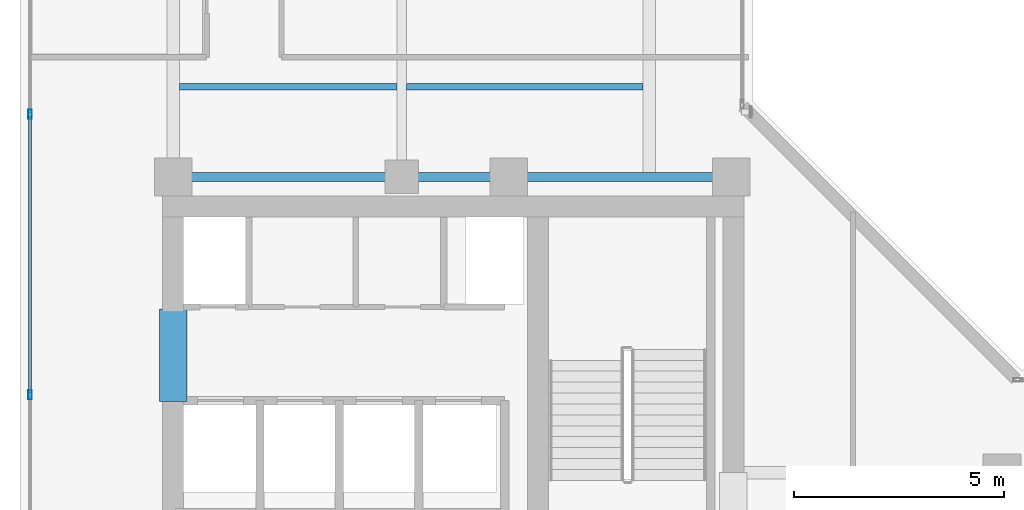
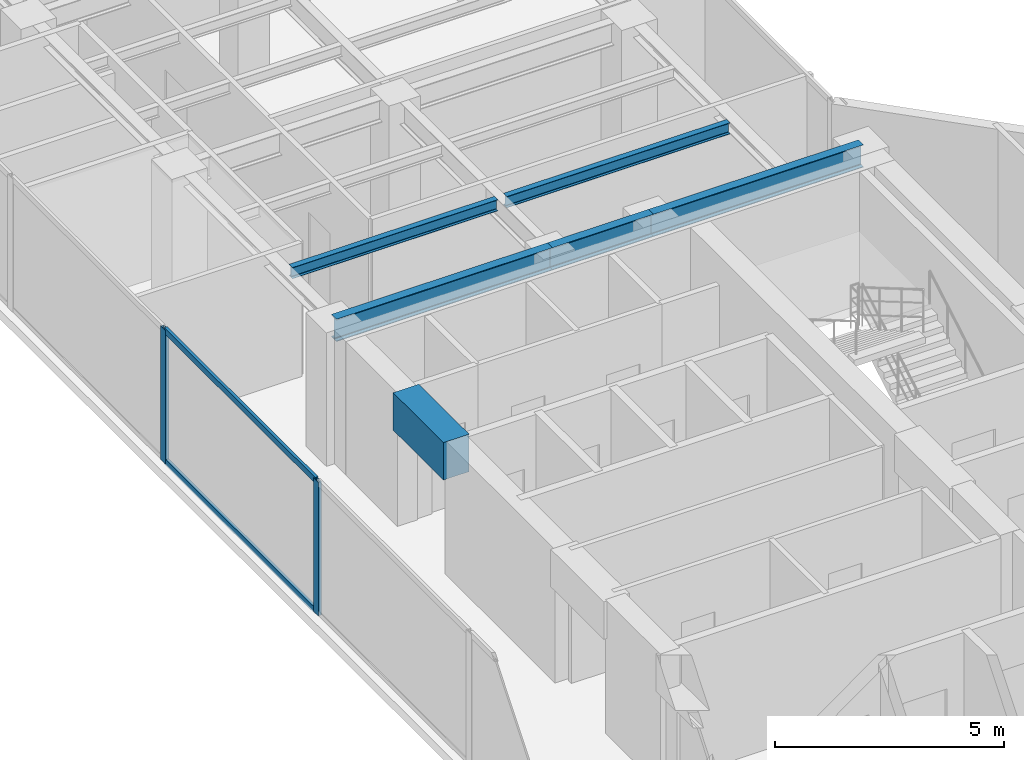
# One storey, part 7 of 24: 6 beams, 4 members, 1 element without a shape of its own.
"""IFC4 building model written with IfcOpenShell, lengths in metres."""

from ifc_helpers import new_model, si_unit, direction, frame, origin, origin_with_axes, origin_2d, place, context, subcontext, project, spatial, rectangle, hollow_rectangle, i_section, extrude, source, transform, mapped, material, layer, layer_set, material_profile, profile_set, type_object, element, aggregate, save


model = new_model("IFC4")

# Units and contexts
model_context = context("Model", 3, precision=1e-05, world=origin(), true_north=direction((0.0, 1.0)))
body_context = subcontext(model_context, "Body", "Model", "MODEL_VIEW")
ifc_project = project(units=[si_unit("LENGTHUNIT", "METRE"), si_unit("AREAUNIT", "SQUARE_METRE"), si_unit("VOLUMEUNIT", "CUBIC_METRE"), si_unit("PLANEANGLEUNIT", "RADIAN"), si_unit("MASSUNIT", "GRAM", prefix="KILO")], contexts=[model_context])

# Site, building, storey
site_placement = place(None, origin())
site = spatial("IfcSite", under=ifc_project, at=site_placement, CompositionType="ELEMENT")
building_placement = place(site_placement, origin())
building = spatial("IfcBuilding", under=site, at=building_placement, Name="Kolvaren Waterfront Exchange", CompositionType="ELEMENT")
storey_placement = place(building_placement, frame((0.0, 0.0, 316.0)))
storey = spatial("IfcBuildingStorey", under=building, at=storey_placement, Name="L81", CompositionType="ELEMENT", Elevation=316.0)

# Beams
ifc_material_1 = material(Name="Steel S355", Category="steel")
ifc_material_profile_1 = material_profile(ifc_material_1, i_section(OverallWidth=0.14990234375, OverallDepth=0.300048828125, WebThickness=0.007080078125, FlangeThickness=0.0107421875, FilletRadius=0.014892578125, at=origin_2d()), Name="IPE300")
ifc_profile_set_1 = profile_set([ifc_material_profile_1], Name="Steel S355")
beam_type_1 = type_object("IfcBeamType", Name="STR-BM-IPE300", PredefinedType="JOIST", material=ifc_profile_set_1)
beam_1_placement = place(storey_placement, frame((7.60205078125, 26.60009765625, 3.409912109375), z_axis=(1.0, 0.0, 0.0), x_axis=(0.0, 1.0, 0.0)))
element("IfcBeam", 1, at=beam_1_placement, inside=storey, type_object=beam_type_1, Name="L81 north-arm composite joist 1A", PredefinedType="JOIST", context=body_context, shape_type="SweptSolid", body=[
    extrude(i_section(OverallWidth=0.14990234375, OverallDepth=0.300048828125, WebThickness=0.007080078125, FlangeThickness=0.0107421875, FilletRadius=0.014892578125, at=origin_2d()), origin(), (0.0, 0.0, 1.0), 5.18603515625),
])
beam_2_placement = place(storey_placement, frame((13.011962890625, 26.60009765625, 3.409912109375), z_axis=(1.0, 0.0, 0.0), x_axis=(0.0, 1.0, 0.0)))
element("IfcBeam", 2, at=beam_2_placement, inside=storey, type_object=beam_type_1, Name="L81 north-arm composite joist 1B", PredefinedType="JOIST", context=body_context, shape_type="SweptSolid", body=[
    extrude(i_section(OverallWidth=0.14990234375, OverallDepth=0.300048828125, WebThickness=0.007080078125, FlangeThickness=0.0107421875, FilletRadius=0.014892578125, at=origin_2d()), origin(), (0.0, 0.0, 1.0), 5.635986328125),
])
ifc_material_profile_2 = material_profile(ifc_material_1, i_section(OverallWidth=0.219970703125, OverallDepth=0.60009765625, WebThickness=0.011962890625, FlangeThickness=0.01904296875, FilletRadius=0.02392578125, at=origin_2d()), Name="IPE600")
ifc_profile_set_2 = profile_set([ifc_material_profile_2], Name="Steel S355")
beam_type_2 = type_object("IfcBeamType", Name="STR-BM-IPE600", PredefinedType="BEAM", material=ifc_profile_set_2)
beam_3_placement = place(storey_placement, frame((7.449951171875, 24.449951171875, 3.260009765625), z_axis=(1.0, 0.0, 0.0), x_axis=(0.0, 1.0, 0.0)))
element("IfcBeam", 3, at=beam_3_placement, inside=storey, type_object=beam_type_2, Name="L81 north-arm girder 1A", PredefinedType="BEAM", context=body_context, shape_type="SweptSolid", body=[
    extrude(i_section(OverallWidth=0.219970703125, OverallDepth=0.60009765625, WebThickness=0.011962890625, FlangeThickness=0.01904296875, FilletRadius=0.02392578125, at=origin_2d()), origin(), (0.0, 0.0, 1.0), 5.449951171875),
])
beam_4_placement = place(storey_placement, frame((12.89990234375, 24.449951171875, 3.260009765625), z_axis=(1.0, 0.0, 0.0), x_axis=(0.0, 1.0, 0.0)))
element("IfcBeam", 4, at=beam_4_placement, inside=storey, type_object=beam_type_2, Name="L81 north-arm girder 1B", PredefinedType="BEAM", context=body_context, shape_type="SweptSolid", body=[
    extrude(i_section(OverallWidth=0.219970703125, OverallDepth=0.60009765625, WebThickness=0.011962890625, FlangeThickness=0.01904296875, FilletRadius=0.02392578125, at=origin_2d()), origin(), (0.0, 0.0, 1.0), 2.550048828125),
])
beam_5_placement = place(storey_placement, frame((15.449951171875, 24.449951171875, 3.260009765625), z_axis=(1.0, 0.0, 0.0), x_axis=(0.0, 1.0, 0.0)))
element("IfcBeam", 5, at=beam_5_placement, inside=storey, type_object=beam_type_2, Name="L81 north-arm girder 1C", PredefinedType="BEAM", context=body_context, shape_type="SweptSolid", body=[
    extrude(i_section(OverallWidth=0.219970703125, OverallDepth=0.60009765625, WebThickness=0.011962890625, FlangeThickness=0.01904296875, FilletRadius=0.02392578125, at=origin_2d()), origin(), (0.0, 0.0, 1.0), 5.300048828125),
])
ifc_material_2 = material(Name="Concrete C60/75", Category="concrete")
ifc_material_profile_3 = material_profile(ifc_material_2, rectangle(XDim=0.64990234375, YDim=1.0, at=origin_2d()), Name="RC-CB-1000x650")
ifc_profile_set_3 = profile_set([ifc_material_profile_3], Name="Concrete C60/75")
beam_type_3 = type_object("IfcBeamType", Name="STR-CB-1000", PredefinedType="SPANDREL", material=ifc_profile_set_3)
beam_6_placement = place(storey_placement, frame((7.449951171875, 19.10009765625, 3.06005859375), z_axis=(0.0, 1.0, 0.0), x_axis=(-1.0, 0.0, 0.0)))
element("IfcBeam", 6, at=beam_6_placement, inside=storey, type_object=beam_type_3, Name="L81 core coupling beam 5", PredefinedType="SPANDREL", context=body_context, shape_type="SweptSolid", body=[
    extrude(rectangle(XDim=0.64990234375, YDim=1.0, at=origin_2d()), origin(), (0.0, 0.0, 1.0), 2.199951171875),
])

# Curtain wall, members
ifc_material_3 = material(Name="Anodised aluminium 6063-T6", Category="aluminium")
ifc_layer = layer(ifc_material_3, 0.219970703125, Name="Anodised aluminium 6063-T6")
ifc_layer_set = layer_set([ifc_layer], Name="Anodised aluminium 6063-T6")
curtain_wall_type = type_object("IfcCurtainWallType", Name="ARC-CW-SYS2", PredefinedType="USERDEFINED", material=ifc_layer_set)
curtain_wall_placement = place(storey_placement, origin())
curtain_wall = element("IfcCurtainWall", 7, at=curtain_wall_placement, inside=storey, type_object=curtain_wall_type, Name="L81 stick curtain wall CW2 (CW-L81-W)", ObjectType="STICK CURTAIN WALL", PredefinedType="USERDEFINED")
ifc_material_profile_4 = material_profile(ifc_material_3, hollow_rectangle(XDim=0.080078125, YDim=0.219970703125, WallThickness=0.0048828125, at=origin_2d()), Name="ALU-MUL-220x80x5")
ifc_profile_set_4 = profile_set([ifc_material_profile_4], Name="Anodised aluminium 6063-T6")
member_type_1 = type_object("IfcMemberType", Name="ARC-CWM-220", PredefinedType="MULLION", material=ifc_profile_set_4)
shared_shape_1 = source(origin_with_axes(), body_context, "Body", "SweptSolid", [
    extrude(hollow_rectangle(XDim=0.080078125, YDim=0.219970703125, WallThickness=0.0048828125, at=origin_2d()), origin(), (0.0, 0.0, 1.0), 3.56005859375),
])
member_1_placement = place(storey_placement, frame((4.0400390625, 19.261474609375, 0.0), z_axis=(0.0, 0.0, 1.0), x_axis=(-1.0, 0.0, 0.0)))
member_1 = element("IfcMember", 8, at=member_1_placement, type_object=member_type_1, Name="CW2 mullion 3", PredefinedType="MULLION", context=body_context, shape_type="MappedRepresentation", body=[
    mapped(shared_shape_1, transform((0.0, 0.0, 0.0), x_axis=(1.0, 0.0, 0.0), y_axis=(0.0, 1.0, 0.0), z_axis=(0.0, 0.0, 1.0), scale=1.0)),
])
member_2_placement = place(storey_placement, frame((4.0400390625, 25.942138671875, 0.0), z_axis=(0.0, 0.0, 1.0), x_axis=(-1.0, 0.0, 0.0)))
member_2 = element("IfcMember", 9, at=member_2_placement, type_object=member_type_1, Name="CW2 mullion 4", PredefinedType="MULLION", context=body_context, shape_type="MappedRepresentation", body=[
    mapped(shared_shape_1, transform((0.0, 0.0, 0.0), x_axis=(1.0, 0.0, 0.0), y_axis=(0.0, 1.0, 0.0), z_axis=(0.0, 0.0, 1.0), scale=1.0)),
])
ifc_material_profile_5 = material_profile(ifc_material_3, hollow_rectangle(XDim=0.074951171875, YDim=0.159912109375, WallThickness=0.00439453125, at=origin_2d()), Name="ALU-TRN-160x75x4.5")
ifc_profile_set_5 = profile_set([ifc_material_profile_5], Name="Anodised aluminium 6063-T6")
member_type_2 = type_object("IfcMemberType", Name="ARC-CWT-160", PredefinedType="USERDEFINED", material=ifc_profile_set_5)
shared_shape_2 = source(origin_with_axes(), body_context, "Body", "SweptSolid", [
    extrude(hollow_rectangle(XDim=0.074951171875, YDim=0.159912109375, WallThickness=0.00439453125, at=origin_2d()), origin(), (0.0, 0.0, 1.0), 6.6005859375),
])
member_3_placement = place(storey_placement, frame((4.0400390625, 19.301513671875, 0.03759765625), z_axis=(0.0, 1.0, 0.0), x_axis=(-1.0, 0.0, 0.0)))
member_3 = element("IfcMember", 10, at=member_3_placement, type_object=member_type_2, Name="CW2 transom 3.1", ObjectType="TRANSOM", PredefinedType="USERDEFINED", context=body_context, shape_type="MappedRepresentation", body=[
    mapped(shared_shape_2, transform((0.0, 0.0, 0.0), x_axis=(1.0, 0.0, 0.0), y_axis=(0.0, 1.0, 0.0), z_axis=(0.0, 0.0, 1.0), scale=1.0)),
])
member_4_placement = place(storey_placement, frame((4.0400390625, 19.301513671875, 3.5224609375), z_axis=(0.0, 1.0, 0.0), x_axis=(-1.0, 0.0, 0.0)))
member_4 = element("IfcMember", 11, at=member_4_placement, type_object=member_type_2, Name="CW2 transom 3.2", ObjectType="TRANSOM", PredefinedType="USERDEFINED", context=body_context, shape_type="MappedRepresentation", body=[
    mapped(shared_shape_2, transform((0.0, 0.0, 0.0), x_axis=(1.0, 0.0, 0.0), y_axis=(0.0, 1.0, 0.0), z_axis=(0.0, 0.0, 1.0), scale=1.0)),
])
aggregate(curtain_wall, [member_1, member_2, member_3, member_4])

save(model, "model.ifc")
